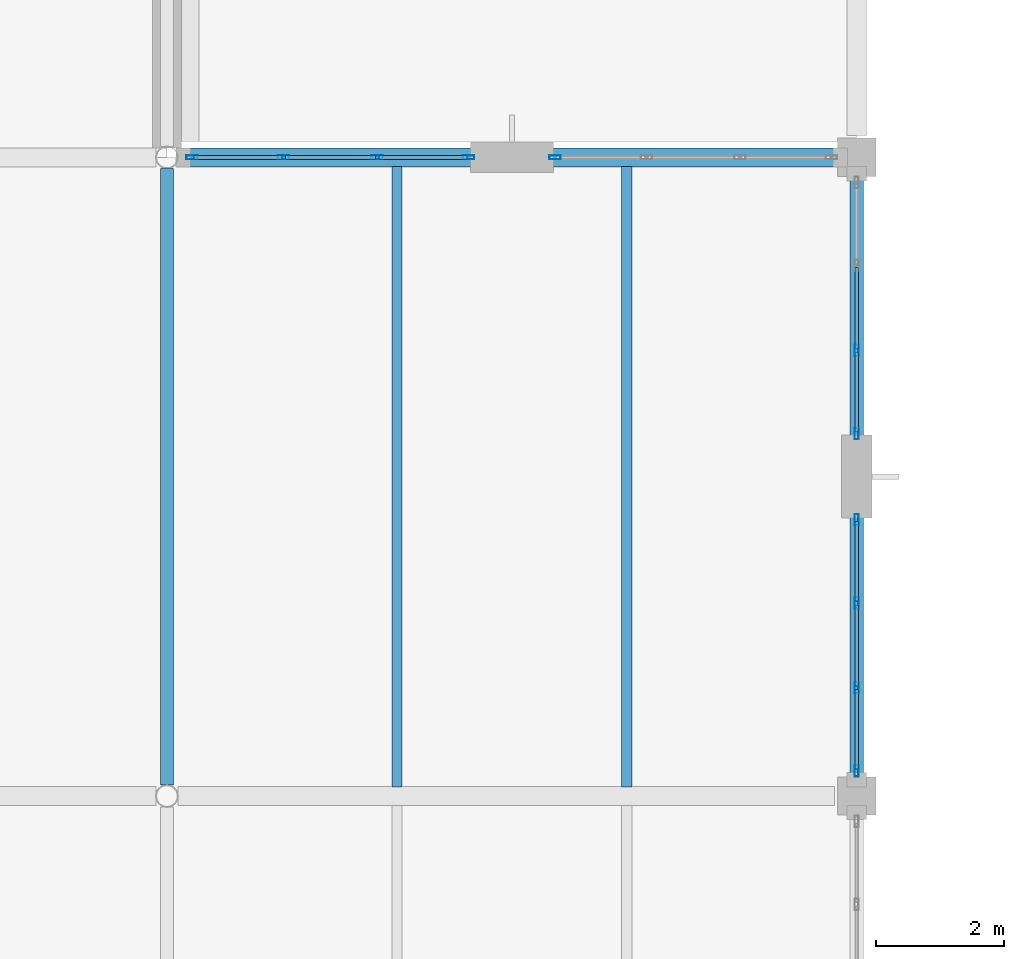
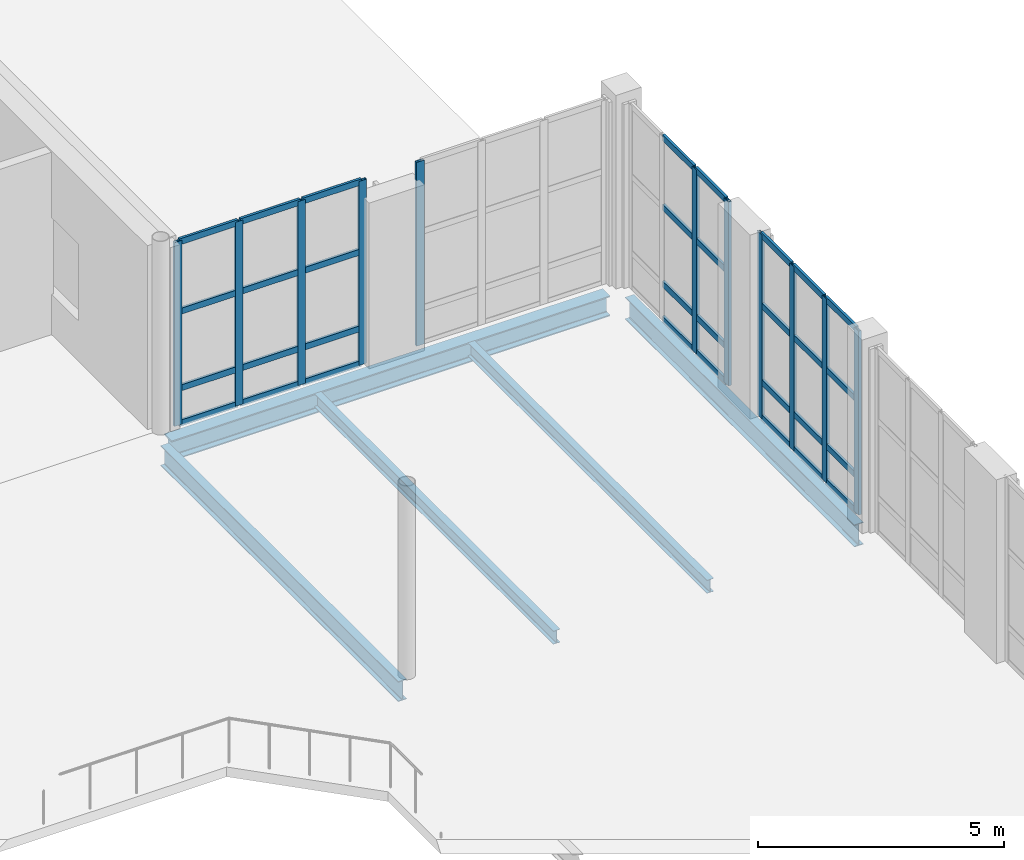
# One storey, part 52 of 100: 43 members, 5 beams, 4 elements without a shape of their own.
"""IFC4 building model written with IfcOpenShell, lengths in metres."""

from ifc_helpers import new_model, si_unit, direction, frame, origin, origin_2d, place, context, subcontext, project, spatial, hollow_rectangle, i_section, extrude, material, layer, layer_set, material_profile, profile_set, type_object, element, aggregate, save


model = new_model("IFC4")

# Units and contexts
model_context = context("Model", 3, precision=1e-05, world=origin(), true_north=direction((0.0, 1.0)))
body_context = subcontext(model_context, "Body", "Model", "MODEL_VIEW")
ifc_project = project(units=[si_unit("LENGTHUNIT", "METRE"), si_unit("AREAUNIT", "SQUARE_METRE"), si_unit("VOLUMEUNIT", "CUBIC_METRE"), si_unit("PLANEANGLEUNIT", "RADIAN"), si_unit("MASSUNIT", "GRAM", prefix="KILO")], contexts=[model_context])

# Site, building, storey
site_placement = place(None, origin())
site = spatial("IfcSite", under=ifc_project, at=site_placement, CompositionType="ELEMENT")
building_placement = place(site_placement, origin())
building = spatial("IfcBuilding", under=site, at=building_placement, Name="Tasgan Crest Museum", CompositionType="ELEMENT")
storey_placement = place(building_placement, frame((0.0, 0.0, 9.60009765625)))
storey = spatial("IfcBuildingStorey", under=building, at=storey_placement, Name="L02", CompositionType="ELEMENT", Elevation=9.60009765625)

# Beams
ifc_material_1 = material(Name="Steel S355J2", Category="steel")
ifc_material_profile_1 = material_profile(ifc_material_1, i_section(OverallWidth=0.300048828125, OverallDepth=0.5, WebThickness=0.014404296875, FlangeThickness=0.028076171875, FilletRadius=0.027099609375, at=origin_2d()), Name="HEB 500")
ifc_profile_set_1 = profile_set([ifc_material_profile_1], Name="Steel S355J2")
beam_type_1 = type_object("IfcBeamType", Name="BM-G-HEB500", PredefinedType="BEAM", material=ifc_profile_set_1)
beam_1_placement = place(storey_placement, frame((97.373779296875, 82.0, -0.489990234375), z_axis=(1.0, 0.0, 0.0), x_axis=(0.0, 1.0, 0.0)))
element("IfcBeam", 1, at=beam_1_placement, inside=storey, type_object=beam_type_1, Name="Girder L02 J 97.2-108.0", PredefinedType="BEAM", context=body_context, shape_type="SweptSolid", body=[
    extrude(i_section(OverallWidth=0.300048828125, OverallDepth=0.5, WebThickness=0.014404296875, FlangeThickness=0.028076171875, FilletRadius=0.027099609375, at=origin_2d()), origin(), (0.0, 0.0, 1.0), 10.2802734375),
])
ifc_material_2 = material(Name="Steel S355J2", Category="steel")
ifc_material_profile_2 = material_profile(ifc_material_2, i_section(OverallWidth=0.199951171875, OverallDepth=0.5, WebThickness=0.01025390625, FlangeThickness=0.01611328125, FilletRadius=0.02099609375, at=origin_2d()), Name="IPE 500")
ifc_profile_set_2 = profile_set([ifc_material_profile_2], Name="Steel S355J2")
beam_type_2 = type_object("IfcBeamType", Name="BM-G-IPE500", PredefinedType="BEAM", material=ifc_profile_set_2)
beam_2_placement = place(storey_placement, frame((97.199951171875, 72.1728515625, -0.489990234375), z_axis=(0.0, 1.0, 0.0), x_axis=(-1.0, 0.0, 0.0)))
element("IfcBeam", 2, at=beam_2_placement, inside=storey, type_object=beam_type_2, Name="Beam L02 10 72.0-82.0", PredefinedType="BEAM", context=body_context, shape_type="SweptSolid", body=[
    extrude(i_section(OverallWidth=0.199951171875, OverallDepth=0.5, WebThickness=0.01025390625, FlangeThickness=0.01611328125, FilletRadius=0.02099609375, at=origin_2d()), origin(), (0.0, 0.0, 1.0), 9.654296875),
])
ifc_material_3 = material(Name="Steel S355J2", Category="steel")
ifc_material_profile_3 = material_profile(ifc_material_3, i_section(OverallWidth=0.2099609375, OverallDepth=0.550048828125, WebThickness=0.010986328125, FlangeThickness=0.01708984375, FilletRadius=0.02392578125, at=origin_2d()), Name="IPE 550")
ifc_profile_set_3 = profile_set([ifc_material_profile_3], Name="Steel S355J2")
beam_type_3 = type_object("IfcBeamType", Name="BM-G-IPE550", PredefinedType="BEAM", material=ifc_profile_set_3)
beam_3_placement = place(storey_placement, frame((108.0, 72.344970703125, -0.51513671875), z_axis=(0.0, 1.0, 0.0), x_axis=(-1.0, 0.0, 0.0)))
element("IfcBeam", 3, at=beam_3_placement, inside=storey, type_object=beam_type_3, Name="Beam L02 11 72.0-82.0", PredefinedType="BEAM", context=body_context, shape_type="SweptSolid", body=[
    extrude(i_section(OverallWidth=0.2099609375, OverallDepth=0.550048828125, WebThickness=0.010986328125, FlangeThickness=0.01708984375, FilletRadius=0.02392578125, at=origin_2d()), origin(), (0.0, 0.0, 1.0), 9.31005859375),
])
ifc_material_4 = material(Name="Steel S355J2", Category="steel")
ifc_material_profile_4 = material_profile(ifc_material_4, i_section(OverallWidth=0.159912109375, OverallDepth=0.330078125, WebThickness=0.007568359375, FlangeThickness=0.011474609375, FilletRadius=0.01806640625, at=origin_2d()), Name="IPE 330")
ifc_profile_set_4 = profile_set([ifc_material_profile_4], Name="Steel S355J2")
beam_type_4 = type_object("IfcBeamType", Name="BM-J-IPE330", PredefinedType="JOIST", material=ifc_profile_set_4)
for number, where, z_axis, x_axis, name in (
    (4, (100.800048828125, 72.14501953125, -0.405029296875), (0.0, 1.0, 0.0), (-1.0, 0.0, 0.0), "Secondary joist L02 X=100.8 Y=72.0-82.0"),
    (5, (104.39990234375, 72.14501953125, -0.405029296875), (0.0, 1.0, 0.0), (-1.0, 0.0, 0.0), "Secondary joist L02 X=104.4 Y=72.0-82.0"),
):
    element("IfcBeam", number, at=place(storey_placement, frame(where, z_axis=z_axis, x_axis=x_axis)), inside=storey, type_object=beam_type_4, Name=name, PredefinedType="JOIST", context=body_context, shape_type="SweptSolid", body=[
        extrude(i_section(OverallWidth=0.159912109375, OverallDepth=0.330078125, WebThickness=0.007568359375, FlangeThickness=0.011474609375, FilletRadius=0.01806640625, at=origin_2d()), origin(), (0.0, 0.0, 1.0), 9.7099609375),
    ])

# Curtain wall, members
ifc_material_5 = material(Name="Triple-Glazed Aluminium Curtain Wall", Category="aluminium")
ifc_layer_1 = layer(ifc_material_5, 0.179931640625, Name="CW-DRUM-Y10-48")
ifc_layer_set_1 = layer_set([ifc_layer_1], Name="Triple-Glazed Aluminium Curtain Wall")
curtain_wall_type_1 = type_object("IfcCurtainWallType", Name="CW-DRUM-Y10-48", PredefinedType="NOTDEFINED", material=ifc_layer_set_1)
curtain_wall_1_placement = place(storey_placement, origin())
curtain_wall_1 = element("IfcCurtainWall", 6, at=curtain_wall_1_placement, inside=storey, type_object=curtain_wall_type_1, Name="Curtain wall L02 077", PredefinedType="NOTDEFINED")
ifc_material_6 = material(Name="Anodised Aluminium", Category="aluminium")
ifc_material_profile_5 = material_profile(ifc_material_6, hollow_rectangle(XDim=0.06494140625, YDim=0.179931640625, WallThickness=0.0048828125, at=origin_2d()), Name="ALU MULLION 180x65x5")
ifc_profile_set_5 = profile_set([ifc_material_profile_5], Name="Anodised Aluminium")
member_type_1 = type_object("IfcMemberType", Name="CW-MULLION-180", PredefinedType="MULLION", material=ifc_profile_set_5)
member_1_placement = place(storey_placement, frame((108.0, 72.39501953125, 0.0), z_axis=(0.0, 0.0, 1.0), x_axis=(-1.0, 0.0, 0.0)))
member_1 = element("IfcMember", 7, at=member_1_placement, type_object=member_type_1, Name="CW04 mullion 1", PredefinedType="MULLION", context=body_context, shape_type="SweptSolid", body=[
    extrude(hollow_rectangle(XDim=0.06494140625, YDim=0.179931640625, WallThickness=0.0048828125, at=origin_2d()), origin(), (0.0, 0.0, 1.0), 4.559814453125),
])
member_2_placement = place(storey_placement, frame((108.0, 73.695068359375, 0.0), z_axis=(0.0, 0.0, 1.0), x_axis=(-1.0, 0.0, 0.0)))
member_2 = element("IfcMember", 8, at=member_2_placement, type_object=member_type_1, Name="CW04 mullion 2", PredefinedType="MULLION", context=body_context, shape_type="SweptSolid", body=[
    extrude(hollow_rectangle(XDim=0.06494140625, YDim=0.179931640625, WallThickness=0.0048828125, at=origin_2d()), origin(), (0.0, 0.0, 1.0), 4.559814453125),
])
member_3_placement = place(storey_placement, frame((108.0, 75.02490234375, 0.0), z_axis=(0.0, 0.0, 1.0), x_axis=(-1.0, 0.0, 0.0)))
member_3 = element("IfcMember", 9, at=member_3_placement, type_object=member_type_1, Name="CW04 mullion 3", PredefinedType="MULLION", context=body_context, shape_type="SweptSolid", body=[
    extrude(hollow_rectangle(XDim=0.06494140625, YDim=0.179931640625, WallThickness=0.0048828125, at=origin_2d()), origin(), (0.0, 0.0, 1.0), 4.559814453125),
])
member_4_placement = place(storey_placement, frame((108.0, 76.324951171875, 0.0), z_axis=(0.0, 0.0, 1.0), x_axis=(-1.0, 0.0, 0.0)))
member_4 = element("IfcMember", 10, at=member_4_placement, type_object=member_type_1, Name="CW04 mullion 4", PredefinedType="MULLION", context=body_context, shape_type="SweptSolid", body=[
    extrude(hollow_rectangle(XDim=0.06494140625, YDim=0.179931640625, WallThickness=0.0048828125, at=origin_2d()), origin(), (0.0, 0.0, 1.0), 4.559814453125),
])

curtain_wall_2_placement = place(storey_placement, origin())
curtain_wall_2 = element("IfcCurtainWall", 11, at=curtain_wall_2_placement, inside=storey, type_object=curtain_wall_type_1, Name="Curtain wall L02 078", PredefinedType="NOTDEFINED")
member_5_placement = place(storey_placement, frame((108.0, 77.675048828125, 0.0), z_axis=(0.0, 0.0, 1.0), x_axis=(-1.0, 0.0, 0.0)))
member_5 = element("IfcMember", 12, at=member_5_placement, type_object=member_type_1, Name="CW04 mullion 1", PredefinedType="MULLION", context=body_context, shape_type="SweptSolid", body=[
    extrude(hollow_rectangle(XDim=0.06494140625, YDim=0.179931640625, WallThickness=0.0048828125, at=origin_2d()), origin(), (0.0, 0.0, 1.0), 4.559814453125),
])
member_6_placement = place(storey_placement, frame((108.0, 78.97509765625, 0.0), z_axis=(0.0, 0.0, 1.0), x_axis=(-1.0, 0.0, 0.0)))
member_6 = element("IfcMember", 13, at=member_6_placement, type_object=member_type_1, Name="CW04 mullion 2", PredefinedType="MULLION", context=body_context, shape_type="SweptSolid", body=[
    extrude(hollow_rectangle(XDim=0.06494140625, YDim=0.179931640625, WallThickness=0.0048828125, at=origin_2d()), origin(), (0.0, 0.0, 1.0), 4.559814453125),
])

# Curtain wall, member
ifc_material_7 = material(Name="Triple-Glazed Aluminium Curtain Wall", Category="aluminium")
ifc_layer_2 = layer(ifc_material_7, 0.179931640625, Name="CW-DRUM-X-48")
ifc_layer_set_2 = layer_set([ifc_layer_2], Name="Triple-Glazed Aluminium Curtain Wall")
curtain_wall_type_2 = type_object("IfcCurtainWallType", Name="CW-DRUM-X-48", PredefinedType="NOTDEFINED", material=ifc_layer_set_2)
curtain_wall_3_placement = place(storey_placement, origin())
curtain_wall_3 = element("IfcCurtainWall", 14, at=curtain_wall_3_placement, inside=storey, type_object=curtain_wall_type_2, Name="Curtain wall L02 079", PredefinedType="NOTDEFINED")
member_7_placement = place(storey_placement, frame((103.27490234375, 82.0, 0.0), z_axis=(0.0, 0.0, 1.0), x_axis=(0.0, -1.0, 0.0)))
member_7 = element("IfcMember", 15, at=member_7_placement, type_object=member_type_1, Name="CW03 mullion 4", PredefinedType="MULLION", context=body_context, shape_type="SweptSolid", body=[
    extrude(hollow_rectangle(XDim=0.06494140625, YDim=0.179931640625, WallThickness=0.0048828125, at=origin_2d()), origin(), (0.0, 0.0, 1.0), 4.559814453125),
])
aggregate(curtain_wall_3, [member_7])

# Curtain wall, members
curtain_wall_4_placement = place(storey_placement, origin())
curtain_wall_4 = element("IfcCurtainWall", 16, at=curtain_wall_4_placement, inside=storey, type_object=curtain_wall_type_2, Name="Curtain wall L02 080", PredefinedType="NOTDEFINED")
member_8_placement = place(storey_placement, frame((101.925048828125, 82.0, 0.0), z_axis=(0.0, 0.0, 1.0), x_axis=(0.0, -1.0, 0.0)))
member_8 = element("IfcMember", 17, at=member_8_placement, type_object=member_type_1, Name="CW03 mullion 1", PredefinedType="MULLION", context=body_context, shape_type="SweptSolid", body=[
    extrude(hollow_rectangle(XDim=0.06494140625, YDim=0.179931640625, WallThickness=0.0048828125, at=origin_2d()), origin(), (0.0, 0.0, 1.0), 4.559814453125),
])
member_9_placement = place(storey_placement, frame((100.49169921875, 82.0, 0.0), z_axis=(0.0, 0.0, 1.0), x_axis=(0.0, -1.0, 0.0)))
member_9 = element("IfcMember", 18, at=member_9_placement, type_object=member_type_1, Name="CW03 mullion 2", PredefinedType="MULLION", context=body_context, shape_type="SweptSolid", body=[
    extrude(hollow_rectangle(XDim=0.06494140625, YDim=0.179931640625, WallThickness=0.0048828125, at=origin_2d()), origin(), (0.0, 0.0, 1.0), 4.559814453125),
])
member_10_placement = place(storey_placement, frame((99.0283203125, 82.0, 0.0), z_axis=(0.0, 0.0, 1.0), x_axis=(0.0, -1.0, 0.0)))
member_10 = element("IfcMember", 19, at=member_10_placement, type_object=member_type_1, Name="CW03 mullion 3", PredefinedType="MULLION", context=body_context, shape_type="SweptSolid", body=[
    extrude(hollow_rectangle(XDim=0.06494140625, YDim=0.179931640625, WallThickness=0.0048828125, at=origin_2d()), origin(), (0.0, 0.0, 1.0), 4.559814453125),
])
member_11_placement = place(storey_placement, frame((97.594970703125, 82.0, 0.0), z_axis=(0.0, 0.0, 1.0), x_axis=(0.0, -1.0, 0.0)))
member_11 = element("IfcMember", 20, at=member_11_placement, type_object=member_type_1, Name="CW03 mullion 4", PredefinedType="MULLION", context=body_context, shape_type="SweptSolid", body=[
    extrude(hollow_rectangle(XDim=0.06494140625, YDim=0.179931640625, WallThickness=0.0048828125, at=origin_2d()), origin(), (0.0, 0.0, 1.0), 4.559814453125),
])

# Member
ifc_material_8 = material(Name="Anodised Aluminium", Category="aluminium")
ifc_material_profile_6 = material_profile(ifc_material_8, hollow_rectangle(XDim=0.06005859375, YDim=0.14990234375, WallThickness=0.0048828125, at=origin_2d()), Name="ALU TRANSOM 150x60x5")
ifc_profile_set_6 = profile_set([ifc_material_profile_6], Name="Anodised Aluminium")
member_type_2 = type_object("IfcMemberType", Name="CW-TRANSOM-150", PredefinedType="USERDEFINED", material=ifc_profile_set_6)
member_12_placement = place(storey_placement, frame((108.0, 72.425048828125, 0.02978515625), z_axis=(0.0, 1.0, 0.0), x_axis=(-1.0, 0.0, 0.0)))
member_12 = element("IfcMember", 21, at=member_12_placement, type_object=member_type_2, Name="CW04 transom 1.1", ObjectType="TRANSOM", PredefinedType="USERDEFINED", context=body_context, shape_type="SweptSolid", body=[
    extrude(hollow_rectangle(XDim=0.06005859375, YDim=0.14990234375, WallThickness=0.0048828125, at=origin_2d()), origin(), (0.0, 0.0, 1.0), 1.239990234375),
])

member_13_placement = place(storey_placement, frame((108.0, 72.425048828125, 0.89990234375), z_axis=(0.0, 1.0, 0.0), x_axis=(-1.0, 0.0, 0.0)))
member_13 = element("IfcMember", 22, at=member_13_placement, type_object=member_type_2, Name="CW04 transom 1.2", ObjectType="TRANSOM", PredefinedType="USERDEFINED", context=body_context, shape_type="SweptSolid", body=[
    extrude(hollow_rectangle(XDim=0.06005859375, YDim=0.14990234375, WallThickness=0.0048828125, at=origin_2d()), origin(), (0.0, 0.0, 1.0), 1.239990234375),
])

member_14_placement = place(storey_placement, frame((108.0, 72.425048828125, 2.7998046875), z_axis=(0.0, 1.0, 0.0), x_axis=(-1.0, 0.0, 0.0)))
member_14 = element("IfcMember", 23, at=member_14_placement, type_object=member_type_2, Name="CW04 transom 1.3", ObjectType="TRANSOM", PredefinedType="USERDEFINED", context=body_context, shape_type="SweptSolid", body=[
    extrude(hollow_rectangle(XDim=0.06005859375, YDim=0.14990234375, WallThickness=0.0048828125, at=origin_2d()), origin(), (0.0, 0.0, 1.0), 1.239990234375),
])

member_15_placement = place(storey_placement, frame((108.0, 72.425048828125, 4.52978515625), z_axis=(0.0, 1.0, 0.0), x_axis=(-1.0, 0.0, 0.0)))
member_15 = element("IfcMember", 24, at=member_15_placement, type_object=member_type_2, Name="CW04 transom 1.4", ObjectType="TRANSOM", PredefinedType="USERDEFINED", context=body_context, shape_type="SweptSolid", body=[
    extrude(hollow_rectangle(XDim=0.06005859375, YDim=0.14990234375, WallThickness=0.0048828125, at=origin_2d()), origin(), (0.0, 0.0, 1.0), 1.239990234375),
])

member_16_placement = place(storey_placement, frame((108.0, 73.72509765625, 0.02978515625), z_axis=(0.0, 1.0, 0.0), x_axis=(-1.0, 0.0, 0.0)))
member_16 = element("IfcMember", 25, at=member_16_placement, type_object=member_type_2, Name="CW04 transom 2.1", ObjectType="TRANSOM", PredefinedType="USERDEFINED", context=body_context, shape_type="SweptSolid", body=[
    extrude(hollow_rectangle(XDim=0.06005859375, YDim=0.14990234375, WallThickness=0.0048828125, at=origin_2d()), origin(), (0.0, 0.0, 1.0), 1.27001953125),
])

member_17_placement = place(storey_placement, frame((108.0, 73.72509765625, 0.89990234375), z_axis=(0.0, 1.0, 0.0), x_axis=(-1.0, 0.0, 0.0)))
member_17 = element("IfcMember", 26, at=member_17_placement, type_object=member_type_2, Name="CW04 transom 2.2", ObjectType="TRANSOM", PredefinedType="USERDEFINED", context=body_context, shape_type="SweptSolid", body=[
    extrude(hollow_rectangle(XDim=0.06005859375, YDim=0.14990234375, WallThickness=0.0048828125, at=origin_2d()), origin(), (0.0, 0.0, 1.0), 1.27001953125),
])

member_18_placement = place(storey_placement, frame((108.0, 73.72509765625, 2.7998046875), z_axis=(0.0, 1.0, 0.0), x_axis=(-1.0, 0.0, 0.0)))
member_18 = element("IfcMember", 27, at=member_18_placement, type_object=member_type_2, Name="CW04 transom 2.3", ObjectType="TRANSOM", PredefinedType="USERDEFINED", context=body_context, shape_type="SweptSolid", body=[
    extrude(hollow_rectangle(XDim=0.06005859375, YDim=0.14990234375, WallThickness=0.0048828125, at=origin_2d()), origin(), (0.0, 0.0, 1.0), 1.27001953125),
])

member_19_placement = place(storey_placement, frame((108.0, 73.72509765625, 4.52978515625), z_axis=(0.0, 1.0, 0.0), x_axis=(-1.0, 0.0, 0.0)))
member_19 = element("IfcMember", 28, at=member_19_placement, type_object=member_type_2, Name="CW04 transom 2.4", ObjectType="TRANSOM", PredefinedType="USERDEFINED", context=body_context, shape_type="SweptSolid", body=[
    extrude(hollow_rectangle(XDim=0.06005859375, YDim=0.14990234375, WallThickness=0.0048828125, at=origin_2d()), origin(), (0.0, 0.0, 1.0), 1.27001953125),
])

member_20_placement = place(storey_placement, frame((108.0, 75.054931640625, 0.02978515625), z_axis=(0.0, 1.0, 0.0), x_axis=(-1.0, 0.0, 0.0)))
member_20 = element("IfcMember", 29, at=member_20_placement, type_object=member_type_2, Name="CW04 transom 3.1", ObjectType="TRANSOM", PredefinedType="USERDEFINED", context=body_context, shape_type="SweptSolid", body=[
    extrude(hollow_rectangle(XDim=0.06005859375, YDim=0.14990234375, WallThickness=0.0048828125, at=origin_2d()), origin(), (0.0, 0.0, 1.0), 1.239990234375),
])

member_21_placement = place(storey_placement, frame((108.0, 75.054931640625, 0.89990234375), z_axis=(0.0, 1.0, 0.0), x_axis=(-1.0, 0.0, 0.0)))
member_21 = element("IfcMember", 30, at=member_21_placement, type_object=member_type_2, Name="CW04 transom 3.2", ObjectType="TRANSOM", PredefinedType="USERDEFINED", context=body_context, shape_type="SweptSolid", body=[
    extrude(hollow_rectangle(XDim=0.06005859375, YDim=0.14990234375, WallThickness=0.0048828125, at=origin_2d()), origin(), (0.0, 0.0, 1.0), 1.239990234375),
])

member_22_placement = place(storey_placement, frame((108.0, 75.054931640625, 2.7998046875), z_axis=(0.0, 1.0, 0.0), x_axis=(-1.0, 0.0, 0.0)))
member_22 = element("IfcMember", 31, at=member_22_placement, type_object=member_type_2, Name="CW04 transom 3.3", ObjectType="TRANSOM", PredefinedType="USERDEFINED", context=body_context, shape_type="SweptSolid", body=[
    extrude(hollow_rectangle(XDim=0.06005859375, YDim=0.14990234375, WallThickness=0.0048828125, at=origin_2d()), origin(), (0.0, 0.0, 1.0), 1.239990234375),
])

member_23_placement = place(storey_placement, frame((108.0, 75.054931640625, 4.52978515625), z_axis=(0.0, 1.0, 0.0), x_axis=(-1.0, 0.0, 0.0)))
member_23 = element("IfcMember", 32, at=member_23_placement, type_object=member_type_2, Name="CW04 transom 3.4", ObjectType="TRANSOM", PredefinedType="USERDEFINED", context=body_context, shape_type="SweptSolid", body=[
    extrude(hollow_rectangle(XDim=0.06005859375, YDim=0.14990234375, WallThickness=0.0048828125, at=origin_2d()), origin(), (0.0, 0.0, 1.0), 1.239990234375),
])

aggregate(curtain_wall_1, [member_1, member_2, member_3, member_4, member_12, member_13, member_14, member_15, member_16, member_17, member_18, member_19, member_20, member_21, member_22, member_23])

member_24_placement = place(storey_placement, frame((108.0, 77.705078125, 0.02978515625), z_axis=(0.0, 1.0, 0.0), x_axis=(-1.0, 0.0, 0.0)))
member_24 = element("IfcMember", 33, at=member_24_placement, type_object=member_type_2, Name="CW04 transom 1.1", ObjectType="TRANSOM", PredefinedType="USERDEFINED", context=body_context, shape_type="SweptSolid", body=[
    extrude(hollow_rectangle(XDim=0.06005859375, YDim=0.14990234375, WallThickness=0.0048828125, at=origin_2d()), origin(), (0.0, 0.0, 1.0), 1.239990234375),
])

member_25_placement = place(storey_placement, frame((108.0, 77.705078125, 0.89990234375), z_axis=(0.0, 1.0, 0.0), x_axis=(-1.0, 0.0, 0.0)))
member_25 = element("IfcMember", 34, at=member_25_placement, type_object=member_type_2, Name="CW04 transom 1.2", ObjectType="TRANSOM", PredefinedType="USERDEFINED", context=body_context, shape_type="SweptSolid", body=[
    extrude(hollow_rectangle(XDim=0.06005859375, YDim=0.14990234375, WallThickness=0.0048828125, at=origin_2d()), origin(), (0.0, 0.0, 1.0), 1.239990234375),
])

member_26_placement = place(storey_placement, frame((108.0, 77.705078125, 2.7998046875), z_axis=(0.0, 1.0, 0.0), x_axis=(-1.0, 0.0, 0.0)))
member_26 = element("IfcMember", 35, at=member_26_placement, type_object=member_type_2, Name="CW04 transom 1.3", ObjectType="TRANSOM", PredefinedType="USERDEFINED", context=body_context, shape_type="SweptSolid", body=[
    extrude(hollow_rectangle(XDim=0.06005859375, YDim=0.14990234375, WallThickness=0.0048828125, at=origin_2d()), origin(), (0.0, 0.0, 1.0), 1.239990234375),
])

member_27_placement = place(storey_placement, frame((108.0, 77.705078125, 4.52978515625), z_axis=(0.0, 1.0, 0.0), x_axis=(-1.0, 0.0, 0.0)))
member_27 = element("IfcMember", 36, at=member_27_placement, type_object=member_type_2, Name="CW04 transom 1.4", ObjectType="TRANSOM", PredefinedType="USERDEFINED", context=body_context, shape_type="SweptSolid", body=[
    extrude(hollow_rectangle(XDim=0.06005859375, YDim=0.14990234375, WallThickness=0.0048828125, at=origin_2d()), origin(), (0.0, 0.0, 1.0), 1.239990234375),
])

member_28_placement = place(storey_placement, frame((108.0, 79.0048828125, 0.02978515625), z_axis=(0.0, 1.0, 0.0), x_axis=(-1.0, 0.0, 0.0)))
member_28 = element("IfcMember", 37, at=member_28_placement, type_object=member_type_2, Name="CW04 transom 2.1", ObjectType="TRANSOM", PredefinedType="USERDEFINED", context=body_context, shape_type="SweptSolid", body=[
    extrude(hollow_rectangle(XDim=0.06005859375, YDim=0.14990234375, WallThickness=0.0048828125, at=origin_2d()), origin(), (0.0, 0.0, 1.0), 1.27001953125),
])

member_29_placement = place(storey_placement, frame((108.0, 79.0048828125, 0.89990234375), z_axis=(0.0, 1.0, 0.0), x_axis=(-1.0, 0.0, 0.0)))
member_29 = element("IfcMember", 38, at=member_29_placement, type_object=member_type_2, Name="CW04 transom 2.2", ObjectType="TRANSOM", PredefinedType="USERDEFINED", context=body_context, shape_type="SweptSolid", body=[
    extrude(hollow_rectangle(XDim=0.06005859375, YDim=0.14990234375, WallThickness=0.0048828125, at=origin_2d()), origin(), (0.0, 0.0, 1.0), 1.27001953125),
])

member_30_placement = place(storey_placement, frame((108.0, 79.0048828125, 2.7998046875), z_axis=(0.0, 1.0, 0.0), x_axis=(-1.0, 0.0, 0.0)))
member_30 = element("IfcMember", 39, at=member_30_placement, type_object=member_type_2, Name="CW04 transom 2.3", ObjectType="TRANSOM", PredefinedType="USERDEFINED", context=body_context, shape_type="SweptSolid", body=[
    extrude(hollow_rectangle(XDim=0.06005859375, YDim=0.14990234375, WallThickness=0.0048828125, at=origin_2d()), origin(), (0.0, 0.0, 1.0), 1.27001953125),
])

member_31_placement = place(storey_placement, frame((108.0, 79.0048828125, 4.52978515625), z_axis=(0.0, 1.0, 0.0), x_axis=(-1.0, 0.0, 0.0)))
member_31 = element("IfcMember", 40, at=member_31_placement, type_object=member_type_2, Name="CW04 transom 2.4", ObjectType="TRANSOM", PredefinedType="USERDEFINED", context=body_context, shape_type="SweptSolid", body=[
    extrude(hollow_rectangle(XDim=0.06005859375, YDim=0.14990234375, WallThickness=0.0048828125, at=origin_2d()), origin(), (0.0, 0.0, 1.0), 1.27001953125),
])

aggregate(curtain_wall_2, [member_5, member_6, member_24, member_25, member_26, member_27, member_28, member_29, member_30, member_31])

member_32_placement = place(storey_placement, frame((101.89501953125, 82.0, 0.02978515625), z_axis=(-1.0, 0.0, 0.0), x_axis=(0.0, -1.0, 0.0)))
member_32 = element("IfcMember", 41, at=member_32_placement, type_object=member_type_2, Name="CW03 transom 1.1", ObjectType="TRANSOM", PredefinedType="USERDEFINED", context=body_context, shape_type="SweptSolid", body=[
    extrude(hollow_rectangle(XDim=0.06005859375, YDim=0.14990234375, WallThickness=0.0048828125, at=origin_2d()), origin(), (0.0, 0.0, 1.0), 1.373291015625),
])

member_33_placement = place(storey_placement, frame((101.89501953125, 82.0, 0.89990234375), z_axis=(-1.0, 0.0, 0.0), x_axis=(0.0, -1.0, 0.0)))
member_33 = element("IfcMember", 42, at=member_33_placement, type_object=member_type_2, Name="CW03 transom 1.2", ObjectType="TRANSOM", PredefinedType="USERDEFINED", context=body_context, shape_type="SweptSolid", body=[
    extrude(hollow_rectangle(XDim=0.06005859375, YDim=0.14990234375, WallThickness=0.0048828125, at=origin_2d()), origin(), (0.0, 0.0, 1.0), 1.373291015625),
])

member_34_placement = place(storey_placement, frame((101.89501953125, 82.0, 2.7998046875), z_axis=(-1.0, 0.0, 0.0), x_axis=(0.0, -1.0, 0.0)))
member_34 = element("IfcMember", 43, at=member_34_placement, type_object=member_type_2, Name="CW03 transom 1.3", ObjectType="TRANSOM", PredefinedType="USERDEFINED", context=body_context, shape_type="SweptSolid", body=[
    extrude(hollow_rectangle(XDim=0.06005859375, YDim=0.14990234375, WallThickness=0.0048828125, at=origin_2d()), origin(), (0.0, 0.0, 1.0), 1.373291015625),
])

member_35_placement = place(storey_placement, frame((101.89501953125, 82.0, 4.52978515625), z_axis=(-1.0, 0.0, 0.0), x_axis=(0.0, -1.0, 0.0)))
member_35 = element("IfcMember", 44, at=member_35_placement, type_object=member_type_2, Name="CW03 transom 1.4", ObjectType="TRANSOM", PredefinedType="USERDEFINED", context=body_context, shape_type="SweptSolid", body=[
    extrude(hollow_rectangle(XDim=0.06005859375, YDim=0.14990234375, WallThickness=0.0048828125, at=origin_2d()), origin(), (0.0, 0.0, 1.0), 1.373291015625),
])

member_36_placement = place(storey_placement, frame((100.461669921875, 82.0, 0.02978515625), z_axis=(-1.0, 0.0, 0.0), x_axis=(0.0, -1.0, 0.0)))
member_36 = element("IfcMember", 45, at=member_36_placement, type_object=member_type_2, Name="CW03 transom 2.1", ObjectType="TRANSOM", PredefinedType="USERDEFINED", context=body_context, shape_type="SweptSolid", body=[
    extrude(hollow_rectangle(XDim=0.06005859375, YDim=0.14990234375, WallThickness=0.0048828125, at=origin_2d()), origin(), (0.0, 0.0, 1.0), 1.4033203125),
])

member_37_placement = place(storey_placement, frame((100.461669921875, 82.0, 0.89990234375), z_axis=(-1.0, 0.0, 0.0), x_axis=(0.0, -1.0, 0.0)))
member_37 = element("IfcMember", 46, at=member_37_placement, type_object=member_type_2, Name="CW03 transom 2.2", ObjectType="TRANSOM", PredefinedType="USERDEFINED", context=body_context, shape_type="SweptSolid", body=[
    extrude(hollow_rectangle(XDim=0.06005859375, YDim=0.14990234375, WallThickness=0.0048828125, at=origin_2d()), origin(), (0.0, 0.0, 1.0), 1.4033203125),
])

member_38_placement = place(storey_placement, frame((100.461669921875, 82.0, 2.7998046875), z_axis=(-1.0, 0.0, 0.0), x_axis=(0.0, -1.0, 0.0)))
member_38 = element("IfcMember", 47, at=member_38_placement, type_object=member_type_2, Name="CW03 transom 2.3", ObjectType="TRANSOM", PredefinedType="USERDEFINED", context=body_context, shape_type="SweptSolid", body=[
    extrude(hollow_rectangle(XDim=0.06005859375, YDim=0.14990234375, WallThickness=0.0048828125, at=origin_2d()), origin(), (0.0, 0.0, 1.0), 1.4033203125),
])

member_39_placement = place(storey_placement, frame((100.461669921875, 82.0, 4.52978515625), z_axis=(-1.0, 0.0, 0.0), x_axis=(0.0, -1.0, 0.0)))
member_39 = element("IfcMember", 48, at=member_39_placement, type_object=member_type_2, Name="CW03 transom 2.4", ObjectType="TRANSOM", PredefinedType="USERDEFINED", context=body_context, shape_type="SweptSolid", body=[
    extrude(hollow_rectangle(XDim=0.06005859375, YDim=0.14990234375, WallThickness=0.0048828125, at=origin_2d()), origin(), (0.0, 0.0, 1.0), 1.4033203125),
])

member_40_placement = place(storey_placement, frame((98.998291015625, 82.0, 0.02978515625), z_axis=(-1.0, 0.0, 0.0), x_axis=(0.0, -1.0, 0.0)))
member_40 = element("IfcMember", 49, at=member_40_placement, type_object=member_type_2, Name="CW03 transom 3.1", ObjectType="TRANSOM", PredefinedType="USERDEFINED", context=body_context, shape_type="SweptSolid", body=[
    extrude(hollow_rectangle(XDim=0.06005859375, YDim=0.14990234375, WallThickness=0.0048828125, at=origin_2d()), origin(), (0.0, 0.0, 1.0), 1.373291015625),
])

member_41_placement = place(storey_placement, frame((98.998291015625, 82.0, 0.89990234375), z_axis=(-1.0, 0.0, 0.0), x_axis=(0.0, -1.0, 0.0)))
member_41 = element("IfcMember", 50, at=member_41_placement, type_object=member_type_2, Name="CW03 transom 3.2", ObjectType="TRANSOM", PredefinedType="USERDEFINED", context=body_context, shape_type="SweptSolid", body=[
    extrude(hollow_rectangle(XDim=0.06005859375, YDim=0.14990234375, WallThickness=0.0048828125, at=origin_2d()), origin(), (0.0, 0.0, 1.0), 1.373291015625),
])

member_42_placement = place(storey_placement, frame((98.998291015625, 82.0, 2.7998046875), z_axis=(-1.0, 0.0, 0.0), x_axis=(0.0, -1.0, 0.0)))
member_42 = element("IfcMember", 51, at=member_42_placement, type_object=member_type_2, Name="CW03 transom 3.3", ObjectType="TRANSOM", PredefinedType="USERDEFINED", context=body_context, shape_type="SweptSolid", body=[
    extrude(hollow_rectangle(XDim=0.06005859375, YDim=0.14990234375, WallThickness=0.0048828125, at=origin_2d()), origin(), (0.0, 0.0, 1.0), 1.373291015625),
])

member_43_placement = place(storey_placement, frame((98.998291015625, 82.0, 4.52978515625), z_axis=(-1.0, 0.0, 0.0), x_axis=(0.0, -1.0, 0.0)))
member_43 = element("IfcMember", 52, at=member_43_placement, type_object=member_type_2, Name="CW03 transom 3.4", ObjectType="TRANSOM", PredefinedType="USERDEFINED", context=body_context, shape_type="SweptSolid", body=[
    extrude(hollow_rectangle(XDim=0.06005859375, YDim=0.14990234375, WallThickness=0.0048828125, at=origin_2d()), origin(), (0.0, 0.0, 1.0), 1.373291015625),
])

aggregate(curtain_wall_4, [member_8, member_9, member_10, member_11, member_32, member_33, member_34, member_35, member_36, member_37, member_38, member_39, member_40, member_41, member_42, member_43])

save(model, "model.ifc")
